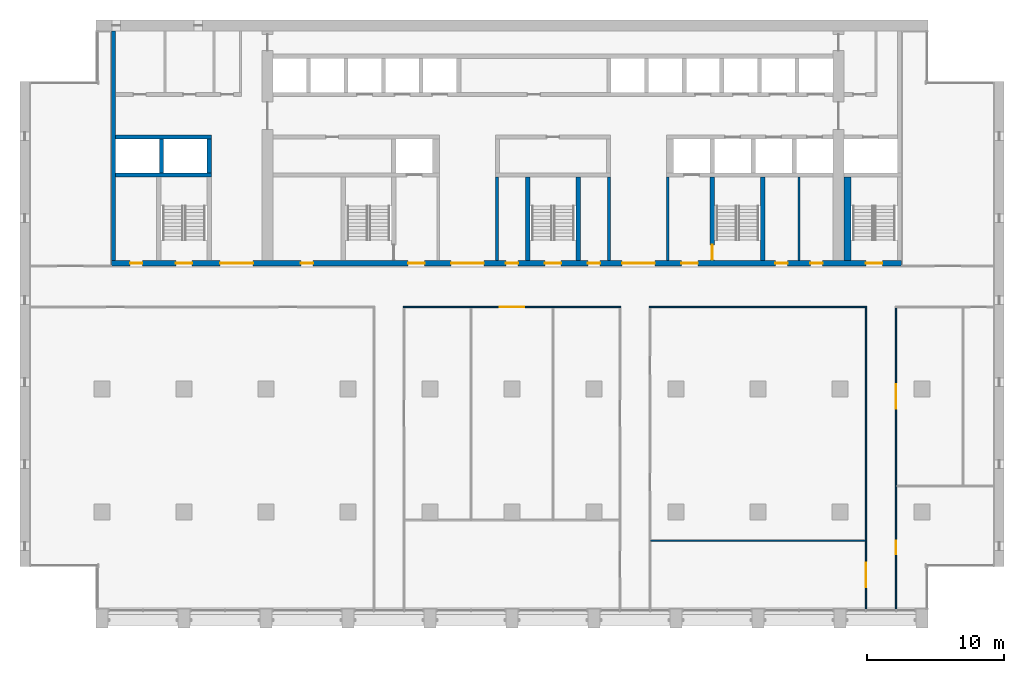
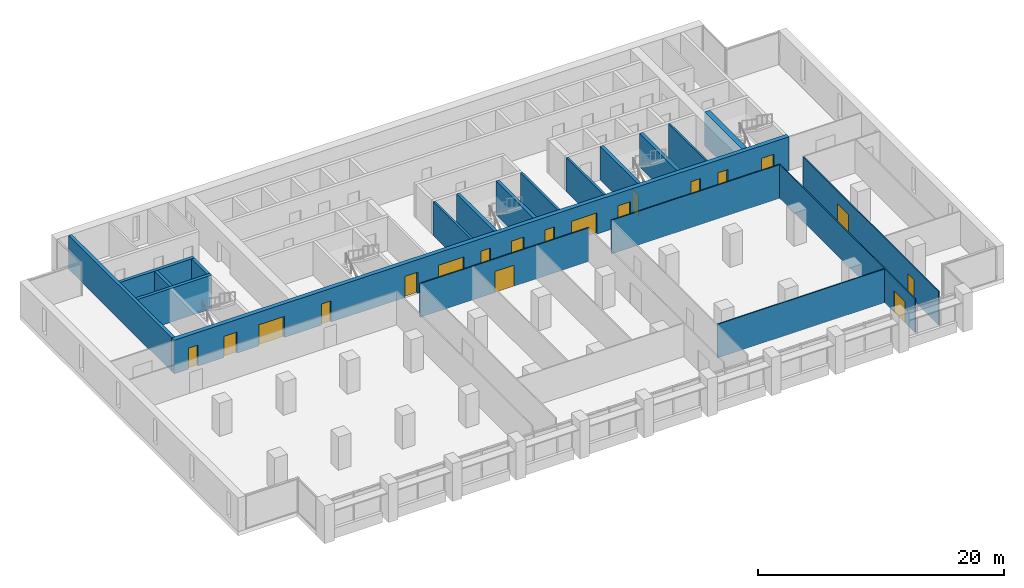
# One storey, part 9 of 15: 20 walls, 19 doors, 19 openings.
"""IFC4 building model written with IfcOpenShell, lengths in metres."""

from ifc_helpers import new_model, si_unit, direction, frame, frame_2d, origin, place, context, subcontext, project, spatial, rectangle, extrude, material, layer, layer_set, type_object, element, fill, save


model = new_model("IFC4")

# Units and contexts
model_context = context("Model", 3, precision=1e-05, world=origin(), true_north=direction((0.0, 1.0)))
body_context = subcontext(model_context, "Body", "Model", "MODEL_VIEW")
ifc_project = project(units=[si_unit("LENGTHUNIT", "METRE"), si_unit("AREAUNIT", "SQUARE_METRE"), si_unit("VOLUMEUNIT", "CUBIC_METRE"), si_unit("PLANEANGLEUNIT", "RADIAN"), si_unit("MASSUNIT", "GRAM", prefix="KILO")], contexts=[model_context])

# Site, building, storey
site_placement = place(None, origin())
site = spatial("IfcSite", under=ifc_project, at=site_placement, CompositionType="ELEMENT")
building_placement = place(site_placement, origin())
building = spatial("IfcBuilding", under=site, at=building_placement, Name="Calvaro Tower", CompositionType="ELEMENT")
storey_placement = place(building_placement, frame((0.0, 0.0, 151.25)))
storey = spatial("IfcBuildingStorey", under=building, at=storey_placement, Name="L38", CompositionType="ELEMENT", Elevation=151.25)

# Walls
ifc_material_1 = material(Name="Blockwork partition", Category="masonry")
ifc_layer_1 = layer(ifc_material_1, 0.14990234375)
ifc_layer_set_1 = layer_set([ifc_layer_1], Name="Blockwork partition")
wall_type_1 = type_object("IfcWallType", Name="Core partition 150 EI 60", PredefinedType="PARTITIONING", material=ifc_layer_set_1)
wall_1_placement = place(storey_placement, frame((57.0, 28.39990234375, 0.0), z_axis=(0.0, 0.0, 1.0), x_axis=(0.0, 1.0, 0.0)))
element("IfcWall", 1, at=wall_1_placement, inside=storey, type_object=wall_type_1, Name="Core partition", PredefinedType="PARTITIONING", context=body_context, shape_type="SweptSolid", body=[
    extrude(rectangle(XDim=6.10009765625, YDim=0.14990234375, at=frame_2d((3.050048828125, 0.0))), origin(), (0.0, 0.0, 1.0), 3.35009765625),
])
ifc_material_2 = material(Name="Blockwork partition", Category="masonry")
ifc_layer_2 = layer(ifc_material_2, 0.199951171875)
ifc_layer_set_2 = layer_set([ifc_layer_2], Name="Blockwork partition")
wall_type_2 = type_object("IfcWallType", Name="Core partition 200 REI 120", PredefinedType="PARTITIONING", material=ifc_layer_set_2)
for number, where, z_axis, x_axis, name in (
    (2, (34.89990234375, 28.39990234375, 0.0), (0.0, 0.0, 1.0), (0.0, 1.0, 0.0), "Core partition"),
    (3, (43.10009765625, 28.39990234375, 0.0), (0.0, 0.0, 1.0), (0.0, 1.0, 0.0), "Core partition"),
    (4, (47.39990234375, 28.39990234375, 0.0), (0.0, 0.0, 1.0), (0.0, 1.0, 0.0), "Core partition"),
):
    element("IfcWall", number, at=place(storey_placement, frame(where, z_axis=z_axis, x_axis=x_axis)), inside=storey, type_object=wall_type_2, Name=name, PredefinedType="PARTITIONING", context=body_context, shape_type="SweptSolid", body=[
        extrude(rectangle(XDim=6.10009765625, YDim=0.199951171875, at=frame_2d((3.050048828125, 0.0))), origin(), (0.0, 0.0, 1.0), 3.35009765625),
    ])
ifc_material_3 = material(Name="Concrete C60/75", Category="concrete")
ifc_layer_3 = layer(ifc_material_3, 0.300048828125)
ifc_layer_set_3 = layer_set([ifc_layer_3], Name="Concrete C60/75")
wall_type_3 = type_object("IfcWallType", Name="Core wall C60/75 300", PredefinedType="SHEAR", material=ifc_layer_set_3)
wall_2_placement = place(storey_placement, frame((6.85009765625, 28.39990234375, 0.0), z_axis=(0.0, 0.0, 1.0), x_axis=(0.0, 1.0, 0.0)))
element("IfcWall", 5, at=wall_2_placement, inside=storey, type_object=wall_type_3, Name="Core wall, boundary", PredefinedType="SHEAR", context=body_context, shape_type="SweptSolid", body=[
    extrude(rectangle(XDim=16.800048828125, YDim=0.300048828125, at=frame_2d((8.39990234375, 0.0))), origin(), (0.0, 0.0, 1.0), 3.35009765625),
])
for number, where, z_axis, x_axis, name in (
    (6, (37.14990234375, 28.39990234375, 0.0), (0.0, 0.0, 1.0), (0.0, 1.0, 0.0), "Core wall, stair enclosure"),
    (7, (40.85009765625, 28.39990234375, 0.0), (0.0, 0.0, 1.0), (0.0, 1.0, 0.0), "Core wall, stair enclosure"),
):
    element("IfcWall", number, at=place(storey_placement, frame(where, z_axis=z_axis, x_axis=x_axis)), inside=storey, type_object=wall_type_3, Name=name, PredefinedType="SHEAR", context=body_context, shape_type="SweptSolid", body=[
        extrude(rectangle(XDim=6.10009765625, YDim=0.300048828125, at=frame_2d((3.050048828125, 0.0))), origin(), (0.0, 0.0, 1.0), 3.35009765625),
    ])

# Wall, opening, door
wall_3_placement = place(storey_placement, frame((50.64990234375, 34.5, 0.0), z_axis=(0.0, 0.0, 1.0), x_axis=(0.0, -1.0, 0.0)))
wall_3 = element("IfcWall", 8, at=wall_3_placement, inside=storey, type_object=wall_type_3, Name="Core wall, stair enclosure", PredefinedType="SHEAR", context=body_context, shape_type="SweptSolid", body=[
    extrude(rectangle(XDim=6.10009765625, YDim=0.300048828125, at=frame_2d((3.050048828125, 0.0))), origin(), (0.0, 0.0, 1.0), 3.35009765625),
])
opening_1_placement = place(wall_3_placement, frame((4.949951171875, 0.0, 0.0)))
opening_1 = element("IfcOpeningElement", 9, at=opening_1_placement, cuts=wall_3, Name="Opening FD11D", PredefinedType="OPENING", context=body_context, shape_type="SweptSolid", body=[
    extrude(rectangle(XDim=1.10009765625, YDim=2.10009765625, at=frame_2d((0.550048828125, 1.050048828125))), frame((0.0, 0.159912109375, 0.0), z_axis=(0.0, -1.0, 0.0), x_axis=(1.0, 0.0, 0.0)), (0.0, 0.0, 1.0), 0.320068359375),
])
ifc_material_4 = material(Name="Steel door set", Category="steel")
door_type_1 = type_object("IfcDoorType", Name="Fire door 1100 FD30S", OperationType="SINGLE_SWING_LEFT", PredefinedType="DOOR", material=ifc_material_4)
door_1_placement = place(opening_1_placement, origin())
door_1 = element("IfcDoor", 10, at=door_1_placement, inside=storey, type_object=door_type_1, Name="Fire door", OperationType="SINGLE_SWING_RIGHT", OverallHeight=2.10009765625, OverallWidth=1.10009765625, PredefinedType="DOOR", context=body_context, shape_type="SweptSolid", body=[
    extrude(rectangle(XDim=1.10009765625, YDim=2.10009765625, at=frame_2d((0.550048828125, 1.050048828125))), frame((0.0, 0.02490234375, 0.0), z_axis=(0.0, -1.0, 0.0), x_axis=(1.0, 0.0, 0.0)), (0.0, 0.0, 1.0), 0.050048828125),
])
fill(opening_1, door_1)

# Walls
wall_4_placement = place(storey_placement, frame((54.35009765625, 28.39990234375, 0.0), z_axis=(0.0, 0.0, 1.0), x_axis=(0.0, 1.0, 0.0)))
element("IfcWall", 11, at=wall_4_placement, inside=storey, type_object=wall_type_3, Name="Core wall, stair enclosure", PredefinedType="SHEAR", context=body_context, shape_type="SweptSolid", body=[
    extrude(rectangle(XDim=6.10009765625, YDim=0.300048828125, at=frame_2d((3.050048828125, 0.0))), origin(), (0.0, 0.0, 1.0), 3.35009765625),
])
for number, where, z_axis, x_axis, name in (
    (12, (7.0, 34.64990234375, 0.0), (0.0, 0.0, 1.0), (1.0, 0.0, 0.0), "Core wall, lift shaft"),
    (13, (7.0, 37.449951171875, 0.0), (0.0, 0.0, 1.0), (1.0, 0.0, 0.0), "Core wall, lift shaft"),
):
    element("IfcWall", number, at=place(storey_placement, frame(where, z_axis=z_axis, x_axis=x_axis)), inside=storey, type_object=wall_type_3, Name=name, PredefinedType="SHEAR", context=body_context, shape_type="SweptSolid", body=[
        extrude(rectangle(XDim=7.0, YDim=0.300048828125, at=frame_2d((3.5, 0.0))), origin(), (0.0, 0.0, 1.0), 3.35009765625),
    ])
for number, where, z_axis, x_axis, name in (
    (14, (13.85009765625, 34.800048828125, 0.0), (0.0, 0.0, 1.0), (0.0, 1.0, 0.0), "Core wall, lift shaft"),
    (15, (10.35009765625, 34.800048828125, 0.0), (0.0, 0.0, 1.0), (0.0, 1.0, 0.0), "Core wall, lift shaft"),
):
    element("IfcWall", number, at=place(storey_placement, frame(where, z_axis=z_axis, x_axis=x_axis)), inside=storey, type_object=wall_type_3, Name=name, PredefinedType="SHEAR", context=body_context, shape_type="SweptSolid", body=[
        extrude(rectangle(XDim=2.5, YDim=0.300048828125, at=frame_2d((1.25, 0.0))), origin(), (0.0, 0.0, 1.0), 3.35009765625),
    ])

# Wall, openings, doors
ifc_material_5 = material(Name="Concrete C60/75", Category="concrete")
ifc_layer_4 = layer(ifc_material_5, 0.39990234375)
ifc_layer_set_4 = layer_set([ifc_layer_4], Name="Concrete C60/75")
wall_type_4 = type_object("IfcWallType", Name="Core wall C60/75 400", PredefinedType="SHEAR", material=ifc_layer_set_4)
wall_5_placement = place(storey_placement, frame((6.699951171875, 28.199951171875, 0.0), z_axis=(0.0, 0.0, 1.0), x_axis=(1.0, 0.0, 0.0)))
wall_5 = element("IfcWall", 16, at=wall_5_placement, inside=storey, type_object=wall_type_4, Name="Core wall, front", PredefinedType="SHEAR", context=body_context, shape_type="SweptSolid", body=[
    extrude(rectangle(XDim=57.800048828125, YDim=0.39990234375, at=frame_2d((28.89990234375, 0.0))), origin(), (0.0, 0.0, 1.0), 3.35009765625),
])
opening_2_placement = place(wall_5_placement, frame((13.85009765625, 0.0, 0.0)))
opening_2 = element("IfcOpeningElement", 17, at=opening_2_placement, cuts=wall_5, Name="Opening RD9E", PredefinedType="OPENING", context=body_context, shape_type="SweptSolid", body=[
    extrude(rectangle(XDim=0.89990234375, YDim=2.10009765625, at=frame_2d((0.449951171875, 1.050048828125))), frame((0.0, 0.2099609375, 0.0), z_axis=(0.0, -1.0, 0.0), x_axis=(1.0, 0.0, 0.0)), (0.0, 0.0, 1.0), 0.419921875),
])
opening_3_placement = place(wall_5_placement, frame((48.5625, 0.0, 0.0)))
opening_3 = element("IfcOpeningElement", 18, at=opening_3_placement, cuts=wall_5, Name="Opening RD9C", PredefinedType="OPENING", context=body_context, shape_type="SweptSolid", body=[
    extrude(rectangle(XDim=0.89990234375, YDim=2.10009765625, at=frame_2d((0.449951171875, 1.050048828125))), frame((0.0, 0.2099609375, 0.0), z_axis=(0.0, -1.0, 0.0), x_axis=(1.0, 0.0, 0.0)), (0.0, 0.0, 1.0), 0.419921875),
])
opening_4_placement = place(wall_5_placement, frame((51.137451171875, 0.0, 0.0)))
opening_4 = element("IfcOpeningElement", 19, at=opening_4_placement, cuts=wall_5, Name="Opening RD9C", PredefinedType="OPENING", context=body_context, shape_type="SweptSolid", body=[
    extrude(rectangle(XDim=0.89990234375, YDim=2.10009765625, at=frame_2d((0.449951171875, 1.050048828125))), frame((0.0, 0.2099609375, 0.0), z_axis=(0.0, -1.0, 0.0), x_axis=(1.0, 0.0, 0.0)), (0.0, 0.0, 1.0), 0.419921875),
])
opening_5_placement = place(wall_5_placement, frame((1.35009765625, 0.0, 0.0)))
opening_5 = element("IfcOpeningElement", 20, at=opening_5_placement, cuts=wall_5, Name="Opening RD9C", PredefinedType="OPENING", context=body_context, shape_type="SweptSolid", body=[
    extrude(rectangle(XDim=0.89990234375, YDim=2.10009765625, at=frame_2d((0.449951171875, 1.050048828125))), frame((0.0, 0.2099609375, 0.0), z_axis=(0.0, -1.0, 0.0), x_axis=(1.0, 0.0, 0.0)), (0.0, 0.0, 1.0), 0.419921875),
])
opening_6_placement = place(wall_5_placement, frame((4.699951171875, 0.0, 0.0)))
opening_6 = element("IfcOpeningElement", 21, at=opening_6_placement, cuts=wall_5, Name="Opening SD12D", PredefinedType="OPENING", context=body_context, shape_type="SweptSolid", body=[
    extrude(rectangle(XDim=1.199951171875, YDim=2.10009765625, at=frame_2d((0.60009765625, 1.050048828125))), frame((0.0, 0.2099609375, 0.0), z_axis=(0.0, -1.0, 0.0), x_axis=(1.0, 0.0, 0.0)), (0.0, 0.0, 1.0), 0.419921875),
])
opening_7_placement = place(wall_5_placement, frame((31.699951171875, 0.0, 0.0)))
opening_7 = element("IfcOpeningElement", 22, at=opening_7_placement, cuts=wall_5, Name="Opening SD12D", PredefinedType="OPENING", context=body_context, shape_type="SweptSolid", body=[
    extrude(rectangle(XDim=1.199951171875, YDim=2.10009765625, at=frame_2d((0.60009765625, 1.050048828125))), frame((0.0, 0.2099609375, 0.0), z_axis=(0.0, -1.0, 0.0), x_axis=(1.0, 0.0, 0.0)), (0.0, 0.0, 1.0), 0.419921875),
])
opening_8_placement = place(wall_5_placement, frame((55.199951171875, 0.0, 0.0)))
opening_8 = element("IfcOpeningElement", 23, at=opening_8_placement, cuts=wall_5, Name="Opening SD12D", PredefinedType="OPENING", context=body_context, shape_type="SweptSolid", body=[
    extrude(rectangle(XDim=1.199951171875, YDim=2.10009765625, at=frame_2d((0.60009765625, 1.050048828125))), frame((0.0, 0.2099609375, 0.0), z_axis=(0.0, -1.0, 0.0), x_axis=(1.0, 0.0, 0.0)), (0.0, 0.0, 1.0), 0.419921875),
])
opening_9_placement = place(wall_5_placement, frame((21.699951171875, 0.0, 0.0)))
opening_9 = element("IfcOpeningElement", 24, at=opening_9_placement, cuts=wall_5, Name="Opening FD12F", PredefinedType="OPENING", context=body_context, shape_type="SweptSolid", body=[
    extrude(rectangle(XDim=1.199951171875, YDim=2.10009765625, at=frame_2d((0.60009765625, 1.050048828125))), frame((0.0, 0.2099609375, 0.0), z_axis=(0.0, -1.0, 0.0), x_axis=(1.0, 0.0, 0.0)), (0.0, 0.0, 1.0), 0.419921875),
])
opening_10_placement = place(wall_5_placement, frame((41.699951171875, 0.0, 0.0)))
opening_10 = element("IfcOpeningElement", 25, at=opening_10_placement, cuts=wall_5, Name="Opening FD12F", PredefinedType="OPENING", context=body_context, shape_type="SweptSolid", body=[
    extrude(rectangle(XDim=1.199951171875, YDim=2.10009765625, at=frame_2d((0.60009765625, 1.050048828125))), frame((0.0, 0.2099609375, 0.0), z_axis=(0.0, -1.0, 0.0), x_axis=(1.0, 0.0, 0.0)), (0.0, 0.0, 1.0), 0.419921875),
])
opening_11_placement = place(wall_5_placement, frame((24.85009765625, 0.0, 0.0)))
opening_11 = element("IfcOpeningElement", 26, at=opening_11_placement, cuts=wall_5, Name="Opening DD24D", PredefinedType="OPENING", context=body_context, shape_type="SweptSolid", body=[
    extrude(rectangle(XDim=2.39990234375, YDim=2.10009765625, at=frame_2d((1.199951171875, 1.050048828125))), frame((0.0, 0.2099609375, 0.0), z_axis=(0.0, -1.0, 0.0), x_axis=(1.0, 0.0, 0.0)), (0.0, 0.0, 1.0), 0.419921875),
])
opening_12_placement = place(wall_5_placement, frame((37.35009765625, 0.0, 0.0)))
opening_12 = element("IfcOpeningElement", 27, at=opening_12_placement, cuts=wall_5, Name="Opening DD24D", PredefinedType="OPENING", context=body_context, shape_type="SweptSolid", body=[
    extrude(rectangle(XDim=2.39990234375, YDim=2.10009765625, at=frame_2d((1.199951171875, 1.050048828125))), frame((0.0, 0.2099609375, 0.0), z_axis=(0.0, -1.0, 0.0), x_axis=(1.0, 0.0, 0.0)), (0.0, 0.0, 1.0), 0.419921875),
])
opening_13_placement = place(wall_5_placement, frame((7.949951171875, 0.0, 0.0)))
opening_13 = element("IfcOpeningElement", 28, at=opening_13_placement, cuts=wall_5, Name="Opening DD24D", PredefinedType="OPENING", context=body_context, shape_type="SweptSolid", body=[
    extrude(rectangle(XDim=2.39990234375, YDim=2.10009765625, at=frame_2d((1.199951171875, 1.050048828125))), frame((0.0, 0.2099609375, 0.0), z_axis=(0.0, -1.0, 0.0), x_axis=(1.0, 0.0, 0.0)), (0.0, 0.0, 1.0), 0.419921875),
])
opening_14_placement = place(wall_5_placement, frame((28.85009765625, 0.0, 0.0)))
opening_14 = element("IfcOpeningElement", 29, at=opening_14_placement, cuts=wall_5, Name="Opening RD9E", PredefinedType="OPENING", context=body_context, shape_type="SweptSolid", body=[
    extrude(rectangle(XDim=0.89990234375, YDim=2.10009765625, at=frame_2d((0.449951171875, 1.050048828125))), frame((0.0, 0.2099609375, 0.0), z_axis=(0.0, -1.0, 0.0), x_axis=(1.0, 0.0, 0.0)), (0.0, 0.0, 1.0), 0.419921875),
])
opening_15_placement = place(wall_5_placement, frame((34.85009765625, 0.0, 0.0)))
opening_15 = element("IfcOpeningElement", 30, at=opening_15_placement, cuts=wall_5, Name="Opening RD9E", PredefinedType="OPENING", context=body_context, shape_type="SweptSolid", body=[
    extrude(rectangle(XDim=0.89990234375, YDim=2.10009765625, at=frame_2d((0.449951171875, 1.050048828125))), frame((0.0, 0.2099609375, 0.0), z_axis=(0.0, -1.0, 0.0), x_axis=(1.0, 0.0, 0.0)), (0.0, 0.0, 1.0), 0.419921875),
])
ifc_material_6 = material(Name="Steel door set", Category="steel")
door_type_2 = type_object("IfcDoorType", Name="Fire door 1200 FD60S", OperationType="SINGLE_SWING_LEFT", PredefinedType="DOOR", material=ifc_material_6)
door_2_placement = place(opening_9_placement, origin())
door_2 = element("IfcDoor", 31, at=door_2_placement, inside=storey, type_object=door_type_2, Name="Fire door", OperationType="SINGLE_SWING_LEFT", OverallHeight=2.10009765625, OverallWidth=1.199951171875, PredefinedType="DOOR", context=body_context, shape_type="SweptSolid", body=[
    extrude(rectangle(XDim=1.199951171875, YDim=2.10009765625, at=frame_2d((0.60009765625, 1.050048828125))), frame((0.0, 0.02490234375, 0.0), z_axis=(0.0, -1.0, 0.0), x_axis=(1.0, 0.0, 0.0)), (0.0, 0.0, 1.0), 0.050048828125),
])
fill(opening_9, door_2)
door_3_placement = place(opening_10_placement, origin())
door_3 = element("IfcDoor", 32, at=door_3_placement, inside=storey, type_object=door_type_2, Name="Fire door", OperationType="SINGLE_SWING_LEFT", OverallHeight=2.10009765625, OverallWidth=1.199951171875, PredefinedType="DOOR", context=body_context, shape_type="SweptSolid", body=[
    extrude(rectangle(XDim=1.199951171875, YDim=2.10009765625, at=frame_2d((0.60009765625, 1.050048828125))), frame((0.0, 0.02490234375, 0.0), z_axis=(0.0, -1.0, 0.0), x_axis=(1.0, 0.0, 0.0)), (0.0, 0.0, 1.0), 0.050048828125),
])
fill(opening_10, door_3)
ifc_material_7 = material(Name="Steel door set", Category="steel")
door_type_3 = type_object("IfcDoorType", Name="Lobby double door 2400 FD30S", OperationType="DOUBLE_DOOR_SINGLE_SWING", PredefinedType="DOOR", material=ifc_material_7)
door_4_placement = place(opening_11_placement, origin())
door_4 = element("IfcDoor", 33, at=door_4_placement, inside=storey, type_object=door_type_3, Name="Lobby double door", OperationType="DOUBLE_DOOR_SINGLE_SWING", OverallHeight=2.10009765625, OverallWidth=2.39990234375, PredefinedType="DOOR", context=body_context, shape_type="SweptSolid", body=[
    extrude(rectangle(XDim=2.39990234375, YDim=2.10009765625, at=frame_2d((1.199951171875, 1.050048828125))), frame((0.0, 0.02490234375, 0.0), z_axis=(0.0, -1.0, 0.0), x_axis=(1.0, 0.0, 0.0)), (0.0, 0.0, 1.0), 0.050048828125),
])
fill(opening_11, door_4)
door_5_placement = place(opening_12_placement, origin())
door_5 = element("IfcDoor", 34, at=door_5_placement, inside=storey, type_object=door_type_3, Name="Lobby double door", OperationType="DOUBLE_DOOR_SINGLE_SWING", OverallHeight=2.10009765625, OverallWidth=2.39990234375, PredefinedType="DOOR", context=body_context, shape_type="SweptSolid", body=[
    extrude(rectangle(XDim=2.39990234375, YDim=2.10009765625, at=frame_2d((1.199951171875, 1.050048828125))), frame((0.0, 0.02490234375, 0.0), z_axis=(0.0, -1.0, 0.0), x_axis=(1.0, 0.0, 0.0)), (0.0, 0.0, 1.0), 0.050048828125),
])
fill(opening_12, door_5)
door_6_placement = place(opening_13_placement, origin())
door_6 = element("IfcDoor", 35, at=door_6_placement, inside=storey, type_object=door_type_3, Name="Lobby double door", OperationType="DOUBLE_DOOR_SINGLE_SWING", OverallHeight=2.10009765625, OverallWidth=2.39990234375, PredefinedType="DOOR", context=body_context, shape_type="SweptSolid", body=[
    extrude(rectangle(XDim=2.39990234375, YDim=2.10009765625, at=frame_2d((1.199951171875, 1.050048828125))), frame((0.0, 0.02490234375, 0.0), z_axis=(0.0, -1.0, 0.0), x_axis=(1.0, 0.0, 0.0)), (0.0, 0.0, 1.0), 0.050048828125),
])
fill(opening_13, door_6)
ifc_material_8 = material(Name="Steel door set", Category="steel")
door_type_4 = type_object("IfcDoorType", Name="Room door 900 FD30", OperationType="SINGLE_SWING_LEFT", PredefinedType="DOOR", material=ifc_material_8)
door_7_placement = place(opening_3_placement, origin())
door_7 = element("IfcDoor", 36, at=door_7_placement, inside=storey, type_object=door_type_4, Name="Room door", OperationType="SINGLE_SWING_LEFT", OverallHeight=2.10009765625, OverallWidth=0.89990234375, PredefinedType="DOOR", context=body_context, shape_type="SweptSolid", body=[
    extrude(rectangle(XDim=0.89990234375, YDim=2.10009765625, at=frame_2d((0.449951171875, 1.050048828125))), frame((0.0, 0.02490234375, 0.0), z_axis=(0.0, -1.0, 0.0), x_axis=(1.0, 0.0, 0.0)), (0.0, 0.0, 1.0), 0.050048828125),
])
fill(opening_3, door_7)
door_8_placement = place(opening_4_placement, origin())
door_8 = element("IfcDoor", 37, at=door_8_placement, inside=storey, type_object=door_type_4, Name="Room door", OperationType="SINGLE_SWING_LEFT", OverallHeight=2.10009765625, OverallWidth=0.89990234375, PredefinedType="DOOR", context=body_context, shape_type="SweptSolid", body=[
    extrude(rectangle(XDim=0.89990234375, YDim=2.10009765625, at=frame_2d((0.449951171875, 1.050048828125))), frame((0.0, 0.02490234375, 0.0), z_axis=(0.0, -1.0, 0.0), x_axis=(1.0, 0.0, 0.0)), (0.0, 0.0, 1.0), 0.050048828125),
])
fill(opening_4, door_8)
door_9_placement = place(opening_5_placement, origin())
door_9 = element("IfcDoor", 38, at=door_9_placement, inside=storey, type_object=door_type_4, Name="Room door", OperationType="SINGLE_SWING_LEFT", OverallHeight=2.10009765625, OverallWidth=0.89990234375, PredefinedType="DOOR", context=body_context, shape_type="SweptSolid", body=[
    extrude(rectangle(XDim=0.89990234375, YDim=2.10009765625, at=frame_2d((0.449951171875, 1.050048828125))), frame((0.0, 0.02490234375, 0.0), z_axis=(0.0, -1.0, 0.0), x_axis=(1.0, 0.0, 0.0)), (0.0, 0.0, 1.0), 0.050048828125),
])
fill(opening_5, door_9)
ifc_material_9 = material(Name="Steel door set", Category="steel")
door_type_5 = type_object("IfcDoorType", Name="Room door 900 FD60", OperationType="SINGLE_SWING_LEFT", PredefinedType="DOOR", material=ifc_material_9)
door_10_placement = place(opening_2_placement, origin())
door_10 = element("IfcDoor", 39, at=door_10_placement, inside=storey, type_object=door_type_5, Name="Room door", OperationType="SINGLE_SWING_LEFT", OverallHeight=2.10009765625, OverallWidth=0.89990234375, PredefinedType="DOOR", context=body_context, shape_type="SweptSolid", body=[
    extrude(rectangle(XDim=0.89990234375, YDim=2.10009765625, at=frame_2d((0.449951171875, 1.050048828125))), frame((0.0, 0.02490234375, 0.0), z_axis=(0.0, -1.0, 0.0), x_axis=(1.0, 0.0, 0.0)), (0.0, 0.0, 1.0), 0.050048828125),
])
fill(opening_2, door_10)
door_11_placement = place(opening_14_placement, origin())
door_11 = element("IfcDoor", 40, at=door_11_placement, inside=storey, type_object=door_type_5, Name="Room door", OperationType="SINGLE_SWING_LEFT", OverallHeight=2.10009765625, OverallWidth=0.89990234375, PredefinedType="DOOR", context=body_context, shape_type="SweptSolid", body=[
    extrude(rectangle(XDim=0.89990234375, YDim=2.10009765625, at=frame_2d((0.449951171875, 1.050048828125))), frame((0.0, 0.02490234375, 0.0), z_axis=(0.0, -1.0, 0.0), x_axis=(1.0, 0.0, 0.0)), (0.0, 0.0, 1.0), 0.050048828125),
])
fill(opening_14, door_11)
door_12_placement = place(opening_15_placement, origin())
door_12 = element("IfcDoor", 41, at=door_12_placement, inside=storey, type_object=door_type_5, Name="Room door", OperationType="SINGLE_SWING_LEFT", OverallHeight=2.10009765625, OverallWidth=0.89990234375, PredefinedType="DOOR", context=body_context, shape_type="SweptSolid", body=[
    extrude(rectangle(XDim=0.89990234375, YDim=2.10009765625, at=frame_2d((0.449951171875, 1.050048828125))), frame((0.0, 0.02490234375, 0.0), z_axis=(0.0, -1.0, 0.0), x_axis=(1.0, 0.0, 0.0)), (0.0, 0.0, 1.0), 0.050048828125),
])
fill(opening_15, door_12)
ifc_material_10 = material(Name="Steel door set", Category="steel")
door_type_6 = type_object("IfcDoorType", Name="Stair door 1200 FD30S", OperationType="SINGLE_SWING_LEFT", PredefinedType="DOOR", material=ifc_material_10)
door_13_placement = place(opening_6_placement, origin())
door_13 = element("IfcDoor", 42, at=door_13_placement, inside=storey, type_object=door_type_6, Name="Stair door", OperationType="SINGLE_SWING_LEFT", OverallHeight=2.10009765625, OverallWidth=1.199951171875, PredefinedType="DOOR", context=body_context, shape_type="SweptSolid", body=[
    extrude(rectangle(XDim=1.199951171875, YDim=2.10009765625, at=frame_2d((0.60009765625, 1.050048828125))), frame((0.0, 0.02490234375, 0.0), z_axis=(0.0, -1.0, 0.0), x_axis=(1.0, 0.0, 0.0)), (0.0, 0.0, 1.0), 0.050048828125),
])
fill(opening_6, door_13)
door_14_placement = place(opening_7_placement, origin())
door_14 = element("IfcDoor", 43, at=door_14_placement, inside=storey, type_object=door_type_6, Name="Stair door", OperationType="SINGLE_SWING_LEFT", OverallHeight=2.10009765625, OverallWidth=1.199951171875, PredefinedType="DOOR", context=body_context, shape_type="SweptSolid", body=[
    extrude(rectangle(XDim=1.199951171875, YDim=2.10009765625, at=frame_2d((0.60009765625, 1.050048828125))), frame((0.0, 0.02490234375, 0.0), z_axis=(0.0, -1.0, 0.0), x_axis=(1.0, 0.0, 0.0)), (0.0, 0.0, 1.0), 0.050048828125),
])
fill(opening_7, door_14)
door_15_placement = place(opening_8_placement, origin())
door_15 = element("IfcDoor", 44, at=door_15_placement, inside=storey, type_object=door_type_6, Name="Stair door", OperationType="SINGLE_SWING_LEFT", OverallHeight=2.10009765625, OverallWidth=1.199951171875, PredefinedType="DOOR", context=body_context, shape_type="SweptSolid", body=[
    extrude(rectangle(XDim=1.199951171875, YDim=2.10009765625, at=frame_2d((0.60009765625, 1.050048828125))), frame((0.0, 0.02490234375, 0.0), z_axis=(0.0, -1.0, 0.0), x_axis=(1.0, 0.0, 0.0)), (0.0, 0.0, 1.0), 0.050048828125),
])
fill(opening_8, door_15)

# Walls
ifc_material_11 = material(Name="Concrete C60/75", Category="concrete")
ifc_layer_5 = layer(ifc_material_11, 0.5)
ifc_layer_set_5 = layer_set([ifc_layer_5], Name="Concrete C60/75")
wall_type_5 = type_object("IfcWallType", Name="Core wall C60/75 500", PredefinedType="SHEAR", material=ifc_layer_set_5)
wall_6_placement = place(storey_placement, frame((60.550048828125, 28.39990234375, 0.0), z_axis=(0.0, 0.0, 1.0), x_axis=(0.0, 1.0, 0.0)))
element("IfcWall", 45, at=wall_6_placement, inside=storey, type_object=wall_type_5, Name="Core wall, stair enclosure", PredefinedType="SHEAR", context=body_context, shape_type="SweptSolid", body=[
    extrude(rectangle(XDim=6.10009765625, YDim=0.5, at=frame_2d((3.050048828125, 0.0))), origin(), (0.0, 0.0, 1.0), 3.35009765625),
])
ifc_material_12 = material(Name="Plasterboard on steel studs", Category="steel")
ifc_layer_6 = layer(ifc_material_12, 0.10009765625)
ifc_layer_set_6 = layer_set([ifc_layer_6], Name="Plasterboard on steel studs")
wall_type_6 = type_object("IfcWallType", Name="Partition 100", PredefinedType="PARTITIONING", material=ifc_layer_set_6)
wall_7_placement = place(storey_placement, frame((46.14990234375, 7.89990234375, 0.0), z_axis=(0.0, 0.0, 1.0), x_axis=(1.0, 0.0, 0.0)))
element("IfcWall", 46, at=wall_7_placement, inside=storey, type_object=wall_type_6, Name="Partition T23.W001", PredefinedType="PARTITIONING", context=body_context, shape_type="SweptSolid", body=[
    extrude(rectangle(XDim=15.7001953125, YDim=0.10009765625, at=frame_2d((7.85009765625, 0.0))), origin(), (0.0, 0.0, 1.0), 3.35009765625),
])

# Wall, opening, door
wall_8_placement = place(storey_placement, frame((28.050048828125, 25.0, 0.0), z_axis=(0.0, 0.0, 1.0), x_axis=(1.0, 0.0, 0.0)))
wall_8 = element("IfcWall", 47, at=wall_8_placement, inside=storey, type_object=wall_type_6, Name="Partition T23.W005", PredefinedType="PARTITIONING", context=body_context, shape_type="SweptSolid", body=[
    extrude(rectangle(XDim=15.89990234375, YDim=0.10009765625, at=frame_2d((7.949951171875, 0.0))), origin(), (0.0, 0.0, 1.0), 3.35009765625),
])
opening_16_placement = place(wall_8_placement, frame((7.050048828125, 0.0, 0.0)))
opening_16 = element("IfcOpeningElement", 48, at=opening_16_placement, cuts=wall_8, Name="Opening T23.009", PredefinedType="OPENING", context=body_context, shape_type="SweptSolid", body=[
    extrude(rectangle(XDim=1.800048828125, YDim=2.10009765625, at=frame_2d((0.89990234375, 1.050048828125))), frame((0.0, 0.06005859375, 0.0), z_axis=(0.0, -1.0, 0.0), x_axis=(1.0, 0.0, 0.0)), (0.0, 0.0, 1.0), 0.1201171875),
])
ifc_material_13 = material(Name="Timber", Category="wood")
door_type_7 = type_object("IfcDoorType", Name="Internal double door 1800 x 2100", OperationType="DOUBLE_DOOR_SINGLE_SWING", PredefinedType="DOOR", material=ifc_material_13)
door_16_placement = place(opening_16_placement, origin())
door_16 = element("IfcDoor", 49, at=door_16_placement, inside=storey, type_object=door_type_7, Name="Door T23.009", OperationType="DOUBLE_DOOR_SINGLE_SWING", OverallHeight=2.10009765625, OverallWidth=1.800048828125, PredefinedType="DOOR", context=body_context, shape_type="SweptSolid", body=[
    extrude(rectangle(XDim=1.800048828125, YDim=2.10009765625, at=frame_2d((0.89990234375, 1.050048828125))), frame((0.0, 0.02490234375, 0.0), z_axis=(0.0, -1.0, 0.0), x_axis=(1.0, 0.0, 0.0)), (0.0, 0.0, 1.0), 0.050048828125),
])
fill(opening_16, door_16)

# Wall
wall_9_placement = place(storey_placement, frame((46.050048828125, 25.0, 0.0), z_axis=(0.0, 0.0, 1.0), x_axis=(1.0, 0.0, 0.0)))
element("IfcWall", 50, at=wall_9_placement, inside=storey, type_object=wall_type_6, Name="Partition T23.W006", PredefinedType="PARTITIONING", context=body_context, shape_type="SweptSolid", body=[
    extrude(rectangle(XDim=15.89990234375, YDim=0.10009765625, at=frame_2d((7.949951171875, 0.0))), origin(), (0.0, 0.0, 1.0), 3.35009765625),
])

# Wall, opening, door
wall_10_placement = place(storey_placement, frame((61.89990234375, 2.89990234375, 0.0), z_axis=(0.0, 0.0, 1.0), x_axis=(0.0, 1.0, 0.0)))
wall_10 = element("IfcWall", 51, at=wall_10_placement, inside=storey, type_object=wall_type_6, Name="Partition T23.W016", PredefinedType="PARTITIONING", context=body_context, shape_type="SweptSolid", body=[
    extrude(rectangle(XDim=22.050048828125, YDim=0.10009765625, at=frame_2d((11.02490234375, 0.0))), origin(), (0.0, 0.0, 1.0), 3.35009765625),
])
opening_17_placement = place(wall_10_placement, frame((1.60009765625, 0.0, 0.0)))
opening_17 = element("IfcOpeningElement", 52, at=opening_17_placement, cuts=wall_10, Name="Opening T23.001", PredefinedType="OPENING", context=body_context, shape_type="SweptSolid", body=[
    extrude(rectangle(XDim=1.800048828125, YDim=2.10009765625, at=frame_2d((0.89990234375, 1.050048828125))), frame((0.0, 0.06005859375, 0.0), z_axis=(0.0, -1.0, 0.0), x_axis=(1.0, 0.0, 0.0)), (0.0, 0.0, 1.0), 0.1201171875),
])
door_17_placement = place(opening_17_placement, origin())
door_17 = element("IfcDoor", 53, at=door_17_placement, inside=storey, type_object=door_type_7, Name="Door T23.001", OperationType="DOUBLE_DOOR_SINGLE_SWING", OverallHeight=2.10009765625, OverallWidth=1.800048828125, PredefinedType="DOOR", context=body_context, shape_type="SweptSolid", body=[
    extrude(rectangle(XDim=1.800048828125, YDim=2.10009765625, at=frame_2d((0.89990234375, 1.050048828125))), frame((0.0, 0.02490234375, 0.0), z_axis=(0.0, -1.0, 0.0), x_axis=(1.0, 0.0, 0.0)), (0.0, 0.0, 1.0), 0.050048828125),
])
fill(opening_17, door_17)

# Wall, openings, doors
wall_11_placement = place(storey_placement, frame((64.10009765625, 2.89990234375, 0.0), z_axis=(0.0, 0.0, 1.0), x_axis=(0.0, 1.0, 0.0)))
wall_11 = element("IfcWall", 54, at=wall_11_placement, inside=storey, type_object=wall_type_6, Name="Partition T23.W017", PredefinedType="PARTITIONING", context=body_context, shape_type="SweptSolid", body=[
    extrude(rectangle(XDim=22.050048828125, YDim=0.10009765625, at=frame_2d((11.02490234375, 0.0))), origin(), (0.0, 0.0, 1.0), 3.35009765625),
])
opening_18_placement = place(wall_11_placement, frame((4.0, 0.0, 0.0)))
opening_18 = element("IfcOpeningElement", 55, at=opening_18_placement, cuts=wall_11, Name="Opening T23.003", PredefinedType="OPENING", context=body_context, shape_type="SweptSolid", body=[
    extrude(rectangle(XDim=1.0, YDim=2.10009765625, at=frame_2d((0.5, 1.050048828125))), frame((0.0, 0.06005859375, 0.0), z_axis=(0.0, -1.0, 0.0), x_axis=(1.0, 0.0, 0.0)), (0.0, 0.0, 1.0), 0.1201171875),
])
opening_19_placement = place(wall_11_placement, frame((14.64990234375, 0.0, 0.0)))
opening_19 = element("IfcOpeningElement", 56, at=opening_19_placement, cuts=wall_11, Name="Opening T23.011", PredefinedType="OPENING", context=body_context, shape_type="SweptSolid", body=[
    extrude(rectangle(XDim=1.800048828125, YDim=2.10009765625, at=frame_2d((0.89990234375, 1.050048828125))), frame((0.0, 0.06005859375, 0.0), z_axis=(0.0, -1.0, 0.0), x_axis=(1.0, 0.0, 0.0)), (0.0, 0.0, 1.0), 0.1201171875),
])
door_18_placement = place(opening_19_placement, origin())
door_18 = element("IfcDoor", 57, at=door_18_placement, inside=storey, type_object=door_type_7, Name="Door T23.011", OperationType="DOUBLE_DOOR_SINGLE_SWING", OverallHeight=2.10009765625, OverallWidth=1.800048828125, PredefinedType="DOOR", context=body_context, shape_type="SweptSolid", body=[
    extrude(rectangle(XDim=1.800048828125, YDim=2.10009765625, at=frame_2d((0.89990234375, 1.050048828125))), frame((0.0, 0.02490234375, 0.0), z_axis=(0.0, -1.0, 0.0), x_axis=(1.0, 0.0, 0.0)), (0.0, 0.0, 1.0), 0.050048828125),
])
fill(opening_19, door_18)
ifc_material_14 = material(Name="Timber", Category="wood")
door_type_8 = type_object("IfcDoorType", Name="Internal single door 1000 x 2100", OperationType="SINGLE_SWING_LEFT", PredefinedType="DOOR", material=ifc_material_14)
door_19_placement = place(opening_18_placement, origin())
door_19 = element("IfcDoor", 58, at=door_19_placement, inside=storey, type_object=door_type_8, Name="Door T23.003", OperationType="SINGLE_SWING_LEFT", OverallHeight=2.10009765625, OverallWidth=1.0, PredefinedType="DOOR", context=body_context, shape_type="SweptSolid", body=[
    extrude(rectangle(XDim=1.0, YDim=2.10009765625, at=frame_2d((0.5, 1.050048828125))), frame((0.0, 0.02490234375, 0.0), z_axis=(0.0, -1.0, 0.0), x_axis=(1.0, 0.0, 0.0)), (0.0, 0.0, 1.0), 0.050048828125),
])
fill(opening_18, door_19)

save(model, "model.ifc")
